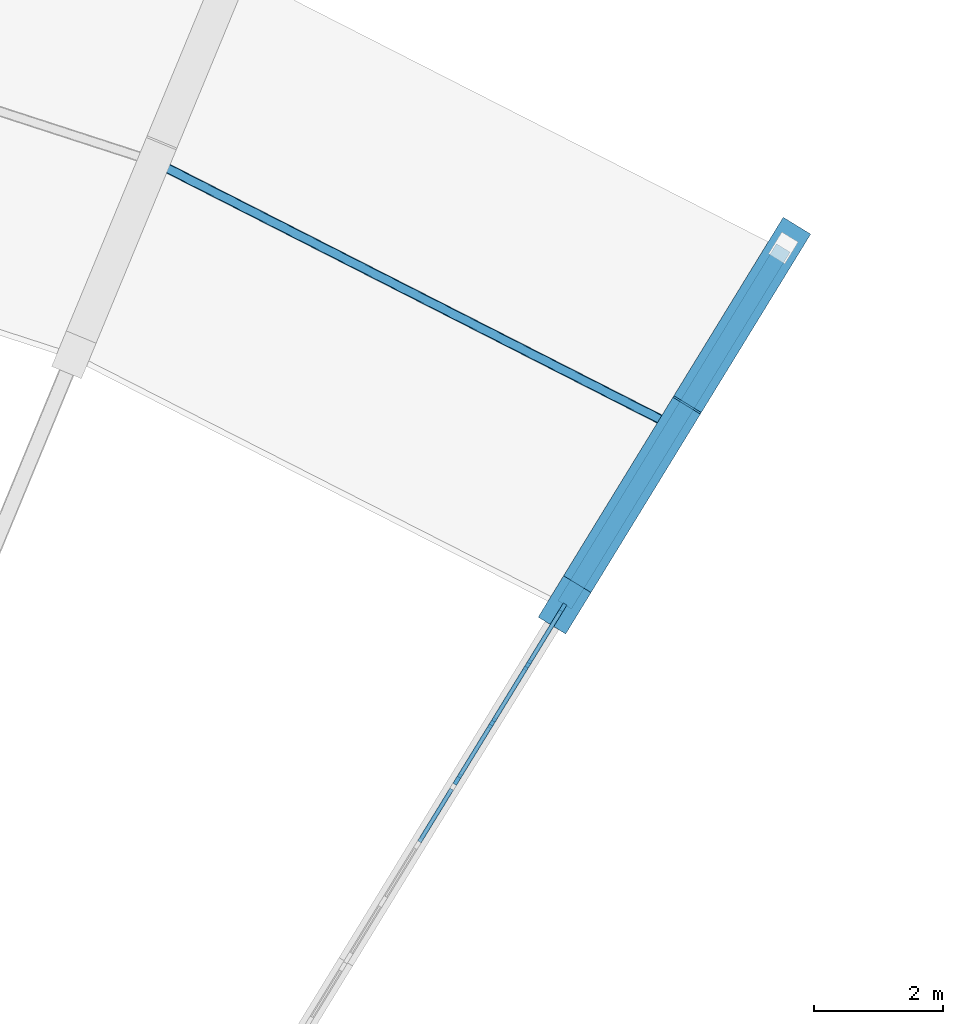
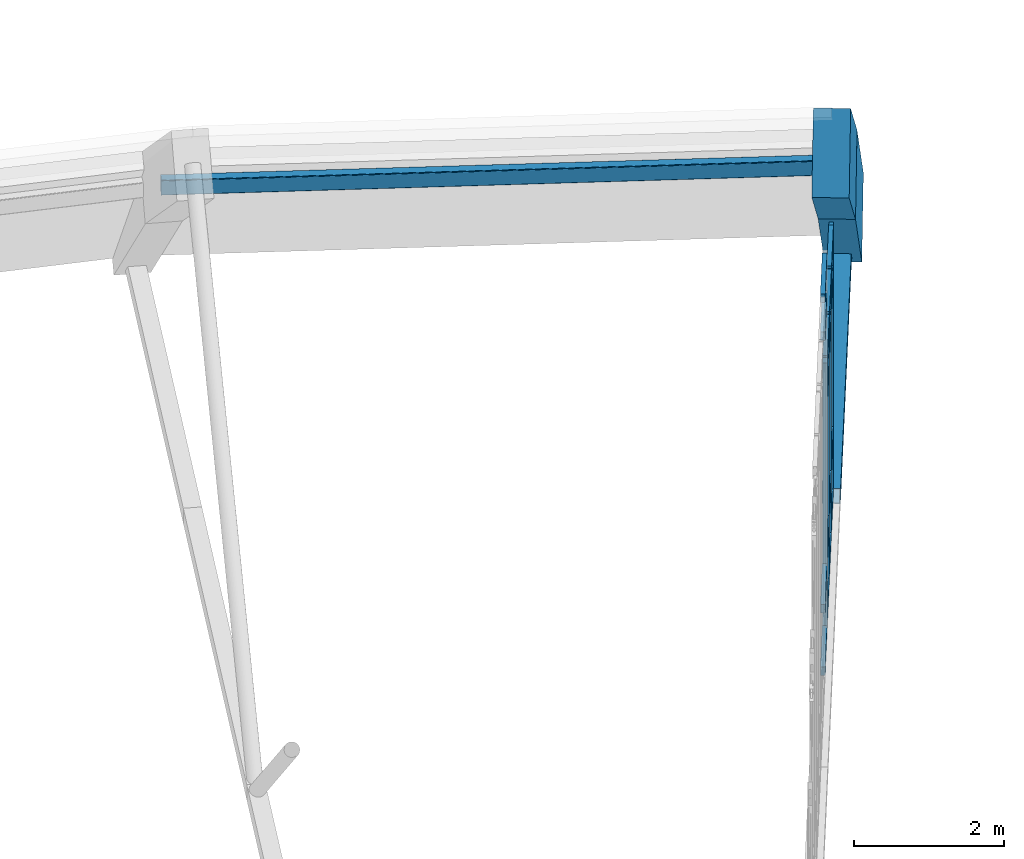
# One storey, part 13 of 34: 21 members, 3 beams, 2 elements without a shape of their own.
"""IFC4 building model written with IfcOpenShell, lengths in metres."""

import ifcopenshell
import ifcopenshell.guid

model = None  # the IFC model being written
_history = None  # IfcOwnerHistory: only IFC2X3 demands one
_inside = {}  # id of a spatial element -> (the spatial element, [elements in it])
_under = {}  # id of a project, library or spatial element -> (it, [spatial elements below it])
_declared = {}  # id of a project -> (the project, [libraries it declares])
_typed = {}  # id of a type object -> (the type object, [elements of that type])
_made_of = {}  # id of a material, layer set ... -> (it, [elements and type objects made of it])


def new_model(schema):
    """Start an empty IFC model of exactly this schema.

    Asked for "IFC4X3", IfcOpenShell would pick the latest addendum, in which some entities
    have other attributes; the version numbers below select the first issue.
    IFC2X3 requires an IfcOwnerHistory on every rooted entity: one is made here for all.
    """
    global model, _history
    if schema == "IFC4X3":
        model = ifcopenshell.file(schema_version=(4, 3, 0, 0))
    else:
        model = ifcopenshell.file(schema=schema)
    _inside.clear()
    _under.clear()
    _declared.clear()
    _typed.clear()
    _made_of.clear()
    _history = None
    if model.schema == "IFC2X3":
        org = make("IfcOrganization", Name="unknown")
        user = make(
            "IfcPersonAndOrganization",
            ThePerson=make("IfcPerson", FamilyName="unknown"),
            TheOrganization=org,
        )
        app = make(
            "IfcApplication",
            ApplicationDeveloper=org,
            Version="unknown",
            ApplicationFullName="unknown",
            ApplicationIdentifier="unknown",
        )
        _history = make(
            "IfcOwnerHistory",
            OwningUser=user,
            OwningApplication=app,
            ChangeAction="ADDED",
            CreationDate=0,
        )
    return model


def make(cls, **values):
    """One entity of the class cls with the attributes given. An attribute that is None is left unset."""
    return model.create_entity(
        cls, **{name: value for name, value in values.items() if value is not None}
    )


def rooted(cls, **values):
    """An entity with a GlobalId (a new one), such as an element, a storey or a relation."""
    return make(cls, GlobalId=ifcopenshell.guid.new(), OwnerHistory=_history, **values)


def si_unit(unit_type, name, prefix=None):
    """IfcSIUnit, for example si_unit("LENGTHUNIT", "METRE", prefix="MILLI")."""
    return make("IfcSIUnit", UnitType=unit_type, Prefix=prefix, Name=name)


def assignment(units):
    """IfcUnitAssignment: the units of a project."""
    return None if units is None else make("IfcUnitAssignment", Units=units)


def point(xyz):
    """IfcCartesianPoint."""
    return None if xyz is None else make("IfcCartesianPoint", Coordinates=xyz)


def direction(xyz):
    """IfcDirection."""
    return None if xyz is None else make("IfcDirection", DirectionRatios=xyz)


def frame(location, z_axis=None, x_axis=None):
    """IfcAxis2Placement3D, a coordinate frame: its origin and axes. An axis left out is left unset."""
    return make(
        "IfcAxis2Placement3D",
        Location=point(location),
        Axis=direction(z_axis),
        RefDirection=direction(x_axis),
    )


def frame_2d(location, x_axis=None):
    """IfcAxis2Placement2D, a coordinate frame in the plane: its origin and x axis."""
    return make(
        "IfcAxis2Placement2D", Location=point(location), RefDirection=direction(x_axis)
    )


def origin():
    """The frame at (0, 0, 0) with its axes left unset."""
    return frame((0.0, 0.0, 0.0))


def origin_2d():
    """The frame at (0, 0) in the plane with its x axis left unset."""
    return frame_2d((0.0, 0.0))


def place(relative_to, where):
    """IfcLocalPlacement: puts the frame where relative to a parent placement (None: the world)."""
    return make(
        "IfcLocalPlacement", PlacementRelTo=relative_to, RelativePlacement=where
    )


def context(
    kind, dimensions, precision=None, world=None, true_north=None, identifier=None
):
    """IfcGeometricRepresentationContext, for example the 3D "Model" context."""
    return make(
        "IfcGeometricRepresentationContext",
        ContextIdentifier=identifier,
        ContextType=kind,
        CoordinateSpaceDimension=dimensions,
        Precision=precision,
        WorldCoordinateSystem=world,
        TrueNorth=true_north,
    )


def subcontext(parent, identifier, kind, view, scale=None):
    """IfcGeometricRepresentationSubContext, for example "Body" below "Model"."""
    return make(
        "IfcGeometricRepresentationSubContext",
        ContextIdentifier=identifier,
        ContextType=kind,
        ParentContext=parent,
        TargetScale=scale,
        TargetView=view,
    )


def project(units=None, contexts=None):
    """IfcProject with its units and contexts."""
    return rooted(
        "IfcProject",
        Name="project",
        RepresentationContexts=contexts,
        UnitsInContext=assignment(units),
    )


def spatial(cls, under=None, at=None, **own):
    """A site, building, storey or space (cls), placed at a placement, below another one or the project."""
    s = rooted(cls, ObjectPlacement=at, **own)
    if under is not None:
        _under.setdefault(under.id(), (under, []))[1].append(s)
    return s


def profile(cls, at=None, kind="AREA", **sizes):
    """A parametric profile (cls). Its sizes go by their IFC names, for example OverallWidth=200.0."""
    return make(cls, ProfileType=kind, Position=at, **sizes)


def rectangle(**sizes):
    """IfcRectangleProfileDef."""
    return profile("IfcRectangleProfileDef", **sizes)


def hollow_rectangle(**sizes):
    """IfcRectangleHollowProfileDef."""
    return profile("IfcRectangleHollowProfileDef", **sizes)


def extrude(swept, where, along, depth):
    """IfcExtrudedAreaSolid: the profile swept, set in the frame where, extruded along a direction by depth."""
    return make(
        "IfcExtrudedAreaSolid",
        SweptArea=swept,
        Position=where,
        ExtrudedDirection=direction(along),
        Depth=depth,
    )


def shape(context_of_items, identifier, shape_type, items):
    """IfcShapeRepresentation: the items that make up one representation, for example the "Body"."""
    return make(
        "IfcShapeRepresentation",
        ContextOfItems=context_of_items,
        RepresentationIdentifier=identifier,
        RepresentationType=shape_type,
        Items=items,
    )


def material(Name=None, Category=None):
    """IfcMaterial."""
    return make("IfcMaterial", Name=Name, Category=Category)


def layer(
    of_material, thickness, ventilated=None, Name=None, Category=None, Priority=None
):
    """IfcMaterialLayer: one layer of a wall or slab, of a material (None: an air gap)."""
    return make(
        "IfcMaterialLayer",
        Material=of_material,
        LayerThickness=thickness,
        IsVentilated=ventilated,
        Name=Name,
        Category=Category,
        Priority=Priority,
    )


def layer_set(layers, Name=None):
    """IfcMaterialLayerSet."""
    return make("IfcMaterialLayerSet", MaterialLayers=layers, LayerSetName=Name)


def material_profile(
    of_material, cross_section, Name=None, Category=None, Priority=None
):
    """IfcMaterialProfile: a cross section and its material."""
    return make(
        "IfcMaterialProfile",
        Name=Name,
        Material=of_material,
        Profile=cross_section,
        Priority=Priority,
        Category=Category,
    )


def profile_set(profiles, Name=None, composite=None):
    """IfcMaterialProfileSet."""
    return make(
        "IfcMaterialProfileSet",
        Name=Name,
        MaterialProfiles=profiles,
        CompositeProfile=composite,
    )


def made_of(thing, what):
    """Note that an element or type object is made of a material, layer set ...; save() writes the relation."""
    if what is not None:
        _made_of.setdefault(what.id(), (what, []))[1].append(thing)
    return thing


def type_object(cls, material=None, **own):
    """A type object (cls), such as IfcWallType, which elements share."""
    return made_of(rooted(cls, **own), material)


def element(
    cls,
    number,
    at=None,
    inside=None,
    cuts=None,
    type_object=None,
    material=None,
    context=None,
    identifier="Body",
    shape_type=None,
    held_by="IfcProductDefinitionShape",
    body=None,
    shapes=None,
    **own,
):
    """One element of the class cls, such as IfcWall. Its Tag is "e" and its number.

    at: its placement. inside: the storey or other place that contains it. cuts: it is an
    opening in that element (IfcRelVoidsElement). A single representation is given by context,
    identifier, shape_type and body (its items); several are given by shapes. held_by: the class
    of the entity that holds the representations. save() writes the other relations.
    """
    e = rooted(cls, Tag="e%d" % number, ObjectPlacement=at, **own)
    if body is not None:
        shapes = [shape(context, identifier, shape_type, body)]
    if shapes is not None:
        e.Representation = make(held_by, Representations=shapes)
    if inside is not None:
        _inside.setdefault(inside.id(), (inside, []))[1].append(e)
    if cuts is not None:
        rooted(
            "IfcRelVoidsElement", RelatingBuildingElement=cuts, RelatedOpeningElement=e
        )
    if type_object is not None:
        _typed.setdefault(type_object.id(), (type_object, []))[1].append(e)
    return made_of(e, material)


def aggregate(whole, parts):
    """IfcRelAggregates: a whole, such as a stair, and the parts it consists of."""
    return rooted("IfcRelAggregates", RelatingObject=whole, RelatedObjects=parts)


def save(model, path):
    """Write the relations noted so far, then the file.

    IfcRelAggregates (storeys below a building ...), IfcRelContainedInSpatialStructure (elements
    in a storey), IfcRelDefinesByType, IfcRelAssociatesMaterial and IfcRelDeclares: one each for
    every whole, place, type object, material and project.
    """
    for whole, parts in _under.values():
        aggregate(whole, parts)
    for where, things in _inside.values():
        rooted(
            "IfcRelContainedInSpatialStructure",
            RelatedElements=things,
            RelatingStructure=where,
        )
    for kind, things in _typed.values():
        rooted("IfcRelDefinesByType", RelatedObjects=things, RelatingType=kind)
    for what, things in _made_of.values():
        rooted("IfcRelAssociatesMaterial", RelatedObjects=things, RelatingMaterial=what)
    for by, libraries in _declared.values():
        rooted("IfcRelDeclares", RelatingContext=by, RelatedDefinitions=libraries)
    model.write(path)


model = new_model("IFC4")

# Units and contexts
model_context = context("Model", 3, precision=1e-05, world=origin(), true_north=direction((0.0, 1.0)))
body_context = subcontext(model_context, "Body", "Model", "MODEL_VIEW")
ifc_project = project(units=[si_unit("LENGTHUNIT", "METRE"), si_unit("AREAUNIT", "SQUARE_METRE"), si_unit("VOLUMEUNIT", "CUBIC_METRE"), si_unit("PLANEANGLEUNIT", "RADIAN"), si_unit("MASSUNIT", "GRAM", prefix="KILO")], contexts=[model_context])

# Site, building, storey
site_placement = place(None, origin())
site = spatial("IfcSite", under=ifc_project, at=site_placement, CompositionType="ELEMENT")
building_placement = place(site_placement, origin())
building = spatial("IfcBuilding", under=site, at=building_placement, Name="Miralva Faculty of Natural Sciences", CompositionType="ELEMENT")
storey_placement = place(building_placement, frame((0.0, 0.0, 24.0)))
storey = spatial("IfcBuildingStorey", under=building, at=storey_placement, Name="L05", CompositionType="ELEMENT", Elevation=24.0)

# Beams
ifc_material_1 = material(Name="Concrete C40/50", Category="concrete")
ifc_material_profile_1 = material_profile(ifc_material_1, rectangle(XDim=0.5, YDim=1.199951171875, at=origin_2d()), Name="RC 500x1200")
ifc_profile_set_1 = profile_set([ifc_material_profile_1], Name="Concrete C40/50")
beam_type_1 = type_object("IfcBeamType", Name="BM-EB01", PredefinedType="BEAM", material=ifc_profile_set_1)
beam_1_placement = place(storey_placement, frame((118.476318359375, 25.468994140625, 5.56005859375), z_axis=(0.406454163532, 0.663300468166, -0.628353007376), x_axis=(-0.852649834543, 0.522482784074, 0.0)))
element("IfcBeam", 1, at=beam_1_placement, inside=storey, type_object=beam_type_1, Name="Visible RC shell arch edge beam EB-08 chord 7", PredefinedType="BEAM", context=body_context, shape_type="SweptSolid", body=[
    extrude(rectangle(XDim=0.5, YDim=1.199951171875, at=origin_2d()), origin(), (0.0, 0.0, 1.0), 4.177490234375),
])
beam_2_placement = place(storey_placement, frame((120.17431640625, 28.239990234375, 2.93505859375), z_axis=(0.385383255766, 0.628914443271, -0.675238009313), x_axis=(-0.852649834543, 0.522482784074, 0.0)))
element("IfcBeam", 2, at=beam_2_placement, inside=storey, type_object=beam_type_1, Name="Visible RC shell arch edge beam EB-08 chord 8", PredefinedType="BEAM", context=body_context, shape_type="SweptSolid", body=[
    extrude(rectangle(XDim=0.5, YDim=1.199951171875, at=origin_2d()), origin(), (0.0, 0.0, 1.0), 4.406005859375),
])
ifc_material_2 = material(Name="Steel S355", Category="steel")
ifc_material_profile_2 = material_profile(ifc_material_2, hollow_rectangle(XDim=0.25, YDim=0.25, WallThickness=0.011962890625, at=origin_2d()), Name="HSS 250x250x12")
ifc_profile_set_2 = profile_set([ifc_material_profile_2], Name="Steel S355")
beam_type_2 = type_object("IfcBeamType", Name="BM-EBTIE", PredefinedType="BEAM", material=ifc_profile_set_2)
beam_3_placement = place(storey_placement, frame((118.476318359375, 25.468994140625, -0.0400390625), z_axis=(0.522482784074, 0.852649834543, 0.0), x_axis=(-0.852649834543, 0.522482784074, 0.0)))
element("IfcBeam", 3, at=beam_3_placement, inside=storey, type_object=beam_type_2, Name="Shell arch tie chord 08-4", PredefinedType="BEAM", context=body_context, shape_type="SweptSolid", body=[
    extrude(hollow_rectangle(XDim=0.25, YDim=0.25, WallThickness=0.011962890625, at=origin_2d()), origin(), (0.0, 0.0, 1.0), 6.499755859375),
])

# Curtain wall, members
ifc_material_3 = material(Name="Laminated solar-control glass", Category="glass")
ifc_layer = layer(ifc_material_3, 0.179931640625, Name="CW-ARC-L03")
ifc_layer_set = layer_set([ifc_layer], Name="Laminated solar-control glass")
curtain_wall_type = type_object("IfcCurtainWallType", Name="CW-ARC-L03", PredefinedType="USERDEFINED", material=ifc_layer_set)
curtain_wall_1_placement = place(storey_placement, origin())
curtain_wall_1 = element("IfcCurtainWall", 4, at=curtain_wall_1_placement, inside=storey, type_object=curtain_wall_type, Name="Shell arch E clerestory curtain wall K5", ObjectType="UNITISED CURTAIN WALL", PredefinedType="USERDEFINED")
ifc_material_4 = material(Name="Anodised aluminium", Category="aluminium")
ifc_material_profile_3 = material_profile(ifc_material_4, rectangle(XDim=0.06494140625, YDim=0.179931640625, at=origin_2d()), Name="MULLION 65x180")
ifc_profile_set_3 = profile_set([ifc_material_profile_3], Name="Anodised aluminium")
member_type_1 = type_object("IfcMemberType", Name="CW-M01", PredefinedType="MULLION", material=ifc_profile_set_3)
member_1_placement = place(storey_placement, frame((116.81591796875, 22.759521484375, 0.090087890625), z_axis=(0.0, 0.0, 1.0), x_axis=(-0.85264568041, 0.522489563224, 0.0)))
member_1 = element("IfcMember", 5, at=member_1_placement, type_object=member_type_1, Name="CW-03 mullion 1", PredefinedType="MULLION", context=body_context, shape_type="SweptSolid", body=[
    extrude(rectangle(XDim=0.06494140625, YDim=0.179931640625, at=origin_2d()), origin(), (0.0, 0.0, 1.0), 4.32958984375),
])
member_2_placement = place(storey_placement, frame((117.35107421875, 23.6328125, 0.090087890625), z_axis=(0.0, 0.0, 1.0), x_axis=(-0.85264568041, 0.522489563224, 0.0)))
member_2 = element("IfcMember", 6, at=member_2_placement, type_object=member_type_1, Name="CW-03 mullion 2", PredefinedType="MULLION", context=body_context, shape_type="SweptSolid", body=[
    extrude(rectangle(XDim=0.06494140625, YDim=0.179931640625, at=origin_2d()), origin(), (0.0, 0.0, 1.0), 4.32958984375),
])
member_3_placement = place(storey_placement, frame((117.9033203125, 24.533935546875, 0.090087890625), z_axis=(0.0, 0.0, 1.0), x_axis=(-0.85264568041, 0.522489563224, 0.0)))
member_3 = element("IfcMember", 7, at=member_3_placement, type_object=member_type_1, Name="CW-03 mullion 3", PredefinedType="MULLION", context=body_context, shape_type="SweptSolid", body=[
    extrude(rectangle(XDim=0.06494140625, YDim=0.179931640625, at=origin_2d()), origin(), (0.0, 0.0, 1.0), 4.32958984375),
])
member_4_placement = place(storey_placement, frame((118.438232421875, 25.406982421875, 0.090087890625), z_axis=(0.0, 0.0, 1.0), x_axis=(-0.85264568041, 0.522489563224, 0.0)))
member_4 = element("IfcMember", 8, at=member_4_placement, type_object=member_type_1, Name="CW-03 mullion 4", PredefinedType="MULLION", context=body_context, shape_type="SweptSolid", body=[
    extrude(rectangle(XDim=0.06494140625, YDim=0.179931640625, at=origin_2d()), origin(), (0.0, 0.0, 1.0), 4.32958984375),
])

curtain_wall_2_placement = place(storey_placement, origin())
curtain_wall_2 = element("IfcCurtainWall", 9, at=curtain_wall_2_placement, inside=storey, type_object=curtain_wall_type, Name="Shell arch E clerestory curtain wall K4", ObjectType="UNITISED CURTAIN WALL", PredefinedType="USERDEFINED")
ifc_material_profile_4 = material_profile(ifc_material_4, rectangle(XDim=0.06494140625, YDim=0.139892578125, at=origin_2d()), Name="TRANSOM 65x140")
ifc_profile_set_4 = profile_set([ifc_material_profile_4], Name="Anodised aluminium")
member_type_2 = type_object("IfcMemberType", Name="CW-T01", PredefinedType="USERDEFINED", material=ifc_profile_set_4)
member_5_placement = place(storey_placement, frame((116.22216796875, 21.79052734375, 0.12255859375), z_axis=(0.522335217118, 0.852740242371, 0.0), x_axis=(-0.852740242371, 0.522335217118, 0.0)))
member_5 = element("IfcMember", 10, at=member_5_placement, type_object=member_type_2, Name="CW-03 transom 3.1", ObjectType="TRANSOM", PredefinedType="USERDEFINED", context=body_context, shape_type="SweptSolid", body=[
    extrude(rectangle(XDim=0.06494140625, YDim=0.139892578125, at=origin_2d()), origin(), (0.0, 0.0, 1.0), 0.959228515625),
])
member_6_placement = place(storey_placement, frame((116.22216796875, 21.79052734375, 1.139892578125), z_axis=(0.522335217118, 0.852740242371, 0.0), x_axis=(-0.852740242371, 0.522335217118, 0.0)))
member_6 = element("IfcMember", 11, at=member_6_placement, type_object=member_type_2, Name="CW-03 transom 3.2", ObjectType="TRANSOM", PredefinedType="USERDEFINED", context=body_context, shape_type="SweptSolid", body=[
    extrude(rectangle(XDim=0.06494140625, YDim=0.139892578125, at=origin_2d()), origin(), (0.0, 0.0, 1.0), 0.959228515625),
])
member_7_placement = place(storey_placement, frame((116.22216796875, 21.79052734375, 5.590576171875), z_axis=(0.522335217118, 0.852740242371, 0.0), x_axis=(-0.852740242371, 0.522335217118, 0.0)))
member_7 = element("IfcMember", 12, at=member_7_placement, type_object=member_type_2, Name="CW-03 transom 3.3", ObjectType="TRANSOM", PredefinedType="USERDEFINED", context=body_context, shape_type="SweptSolid", body=[
    extrude(rectangle(XDim=0.06494140625, YDim=0.139892578125, at=origin_2d()), origin(), (0.0, 0.0, 1.0), 0.959228515625),
])
member_8_placement = place(storey_placement, frame((116.22216796875, 21.79052734375, 6.2080078125), z_axis=(0.522335217118, 0.852740242371, 0.0), x_axis=(-0.852740242371, 0.522335217118, 0.0)))
member_8 = element("IfcMember", 13, at=member_8_placement, type_object=member_type_2, Name="CW-03 transom 3.4", ObjectType="TRANSOM", PredefinedType="USERDEFINED", context=body_context, shape_type="SweptSolid", body=[
    extrude(rectangle(XDim=0.06494140625, YDim=0.139892578125, at=origin_2d()), origin(), (0.0, 0.0, 1.0), 0.959228515625),
])
aggregate(curtain_wall_2, [member_5, member_6, member_7, member_8])

# Member
member_9_placement = place(storey_placement, frame((116.8330078125, 22.787353515625, 0.12255859375), z_axis=(0.522520279799, 0.852626856954, 0.0), x_axis=(-0.852626856954, 0.522520279799, 0.0)))
member_9 = element("IfcMember", 14, at=member_9_placement, type_object=member_type_2, Name="CW-03 transom 1.1", ObjectType="TRANSOM", PredefinedType="USERDEFINED", context=body_context, shape_type="SweptSolid", body=[
    extrude(rectangle(XDim=0.06494140625, YDim=0.139892578125, at=origin_2d()), origin(), (0.0, 0.0, 1.0), 0.959228515625),
])

member_10_placement = place(storey_placement, frame((116.8330078125, 22.787353515625, 1.139892578125), z_axis=(0.522520279799, 0.852626856954, 0.0), x_axis=(-0.852626856954, 0.522520279799, 0.0)))
member_10 = element("IfcMember", 15, at=member_10_placement, type_object=member_type_2, Name="CW-03 transom 1.2", ObjectType="TRANSOM", PredefinedType="USERDEFINED", context=body_context, shape_type="SweptSolid", body=[
    extrude(rectangle(XDim=0.06494140625, YDim=0.139892578125, at=origin_2d()), origin(), (0.0, 0.0, 1.0), 0.959228515625),
])

member_11_placement = place(storey_placement, frame((116.8330078125, 22.787353515625, 3.769775390625), z_axis=(0.522520279799, 0.852626856954, 0.0), x_axis=(-0.852626856954, 0.522520279799, 0.0)))
member_11 = element("IfcMember", 16, at=member_11_placement, type_object=member_type_2, Name="CW-03 transom 1.3", ObjectType="TRANSOM", PredefinedType="USERDEFINED", context=body_context, shape_type="SweptSolid", body=[
    extrude(rectangle(XDim=0.06494140625, YDim=0.139892578125, at=origin_2d()), origin(), (0.0, 0.0, 1.0), 0.959228515625),
])

member_12_placement = place(storey_placement, frame((116.8330078125, 22.787353515625, 4.38720703125), z_axis=(0.522520279799, 0.852626856954, 0.0), x_axis=(-0.852626856954, 0.522520279799, 0.0)))
member_12 = element("IfcMember", 17, at=member_12_placement, type_object=member_type_2, Name="CW-03 transom 1.4", ObjectType="TRANSOM", PredefinedType="USERDEFINED", context=body_context, shape_type="SweptSolid", body=[
    extrude(rectangle(XDim=0.06494140625, YDim=0.139892578125, at=origin_2d()), origin(), (0.0, 0.0, 1.0), 0.959228515625),
])

member_13_placement = place(storey_placement, frame((117.3681640625, 23.66064453125, 0.12255859375), z_axis=(0.522475450425, 0.852654328379, 0.0), x_axis=(-0.852654328379, 0.522475450425, 0.0)))
member_13 = element("IfcMember", 18, at=member_13_placement, type_object=member_type_2, Name="CW-03 transom 2.1", ObjectType="TRANSOM", PredefinedType="USERDEFINED", context=body_context, shape_type="SweptSolid", body=[
    extrude(rectangle(XDim=0.06494140625, YDim=0.139892578125, at=origin_2d()), origin(), (0.0, 0.0, 1.0), 0.991455078125),
])

member_14_placement = place(storey_placement, frame((117.3681640625, 23.66064453125, 1.139892578125), z_axis=(0.522475450425, 0.852654328379, 0.0), x_axis=(-0.852654328379, 0.522475450425, 0.0)))
member_14 = element("IfcMember", 19, at=member_14_placement, type_object=member_type_2, Name="CW-03 transom 2.2", ObjectType="TRANSOM", PredefinedType="USERDEFINED", context=body_context, shape_type="SweptSolid", body=[
    extrude(rectangle(XDim=0.06494140625, YDim=0.139892578125, at=origin_2d()), origin(), (0.0, 0.0, 1.0), 0.991455078125),
])

member_15_placement = place(storey_placement, frame((117.3681640625, 23.66064453125, 3.769775390625), z_axis=(0.522475450425, 0.852654328379, 0.0), x_axis=(-0.852654328379, 0.522475450425, 0.0)))
member_15 = element("IfcMember", 20, at=member_15_placement, type_object=member_type_2, Name="CW-03 transom 2.3", ObjectType="TRANSOM", PredefinedType="USERDEFINED", context=body_context, shape_type="SweptSolid", body=[
    extrude(rectangle(XDim=0.06494140625, YDim=0.139892578125, at=origin_2d()), origin(), (0.0, 0.0, 1.0), 0.991455078125),
])

member_16_placement = place(storey_placement, frame((117.3681640625, 23.66064453125, 4.38720703125), z_axis=(0.522475450425, 0.852654328379, 0.0), x_axis=(-0.852654328379, 0.522475450425, 0.0)))
member_16 = element("IfcMember", 21, at=member_16_placement, type_object=member_type_2, Name="CW-03 transom 2.4", ObjectType="TRANSOM", PredefinedType="USERDEFINED", context=body_context, shape_type="SweptSolid", body=[
    extrude(rectangle(XDim=0.06494140625, YDim=0.139892578125, at=origin_2d()), origin(), (0.0, 0.0, 1.0), 0.991455078125),
])

member_17_placement = place(storey_placement, frame((117.920166015625, 24.5615234375, 0.12255859375), z_axis=(0.522520279799, 0.852626856954, 0.0), x_axis=(-0.852626856954, 0.522520279799, 0.0)))
member_17 = element("IfcMember", 22, at=member_17_placement, type_object=member_type_2, Name="CW-03 transom 3.1", ObjectType="TRANSOM", PredefinedType="USERDEFINED", context=body_context, shape_type="SweptSolid", body=[
    extrude(rectangle(XDim=0.06494140625, YDim=0.139892578125, at=origin_2d()), origin(), (0.0, 0.0, 1.0), 0.959228515625),
])

member_18_placement = place(storey_placement, frame((117.920166015625, 24.5615234375, 1.139892578125), z_axis=(0.522520279799, 0.852626856954, 0.0), x_axis=(-0.852626856954, 0.522520279799, 0.0)))
member_18 = element("IfcMember", 23, at=member_18_placement, type_object=member_type_2, Name="CW-03 transom 3.2", ObjectType="TRANSOM", PredefinedType="USERDEFINED", context=body_context, shape_type="SweptSolid", body=[
    extrude(rectangle(XDim=0.06494140625, YDim=0.139892578125, at=origin_2d()), origin(), (0.0, 0.0, 1.0), 0.959228515625),
])

member_19_placement = place(storey_placement, frame((117.920166015625, 24.5615234375, 3.769775390625), z_axis=(0.522520279799, 0.852626856954, 0.0), x_axis=(-0.852626856954, 0.522520279799, 0.0)))
member_19 = element("IfcMember", 24, at=member_19_placement, type_object=member_type_2, Name="CW-03 transom 3.3", ObjectType="TRANSOM", PredefinedType="USERDEFINED", context=body_context, shape_type="SweptSolid", body=[
    extrude(rectangle(XDim=0.06494140625, YDim=0.139892578125, at=origin_2d()), origin(), (0.0, 0.0, 1.0), 0.959228515625),
])

member_20_placement = place(storey_placement, frame((117.920166015625, 24.5615234375, 4.38720703125), z_axis=(0.522520279799, 0.852626856954, 0.0), x_axis=(-0.852626856954, 0.522520279799, 0.0)))
member_20 = element("IfcMember", 25, at=member_20_placement, type_object=member_type_2, Name="CW-03 transom 3.4", ObjectType="TRANSOM", PredefinedType="USERDEFINED", context=body_context, shape_type="SweptSolid", body=[
    extrude(rectangle(XDim=0.06494140625, YDim=0.139892578125, at=origin_2d()), origin(), (0.0, 0.0, 1.0), 0.959228515625),
])

aggregate(curtain_wall_1, [member_1, member_2, member_3, member_4, member_9, member_10, member_11, member_12, member_13, member_14, member_15, member_16, member_17, member_18, member_19, member_20])

ifc_material_profile_5 = material_profile(ifc_material_2, hollow_rectangle(XDim=0.14990234375, YDim=0.25, WallThickness=0.010009765625, InnerFilletRadius=0.010009765625, OuterFilletRadius=0.02001953125, at=origin_2d()), Name="HSS 250x150x10")
ifc_profile_set_5 = profile_set([ifc_material_profile_5], Name="Steel S355")
member_type_3 = type_object("IfcMemberType", Name="MEM-PU01", PredefinedType="PURLIN", material=ifc_profile_set_5)
member_21_placement = place(storey_placement, frame((112.10009765625, 32.35400390625, 3.094970703125), z_axis=(0.891006803894, -0.453989950787, 0.0), x_axis=(0.453989950787, 0.891006803894, 0.0)))
element("IfcMember", 26, at=member_21_placement, inside=storey, type_object=member_type_3, Name="Shell longitudinal purlin B7-K7", PredefinedType="PURLIN", context=body_context, shape_type="SweptSolid", body=[
    extrude(hollow_rectangle(XDim=0.14990234375, YDim=0.25, WallThickness=0.010009765625, InnerFilletRadius=0.010009765625, OuterFilletRadius=0.02001953125, at=origin_2d()), origin(), (0.0, 0.0, 1.0), 9.06201171875),
])

save(model, "model.ifc")
